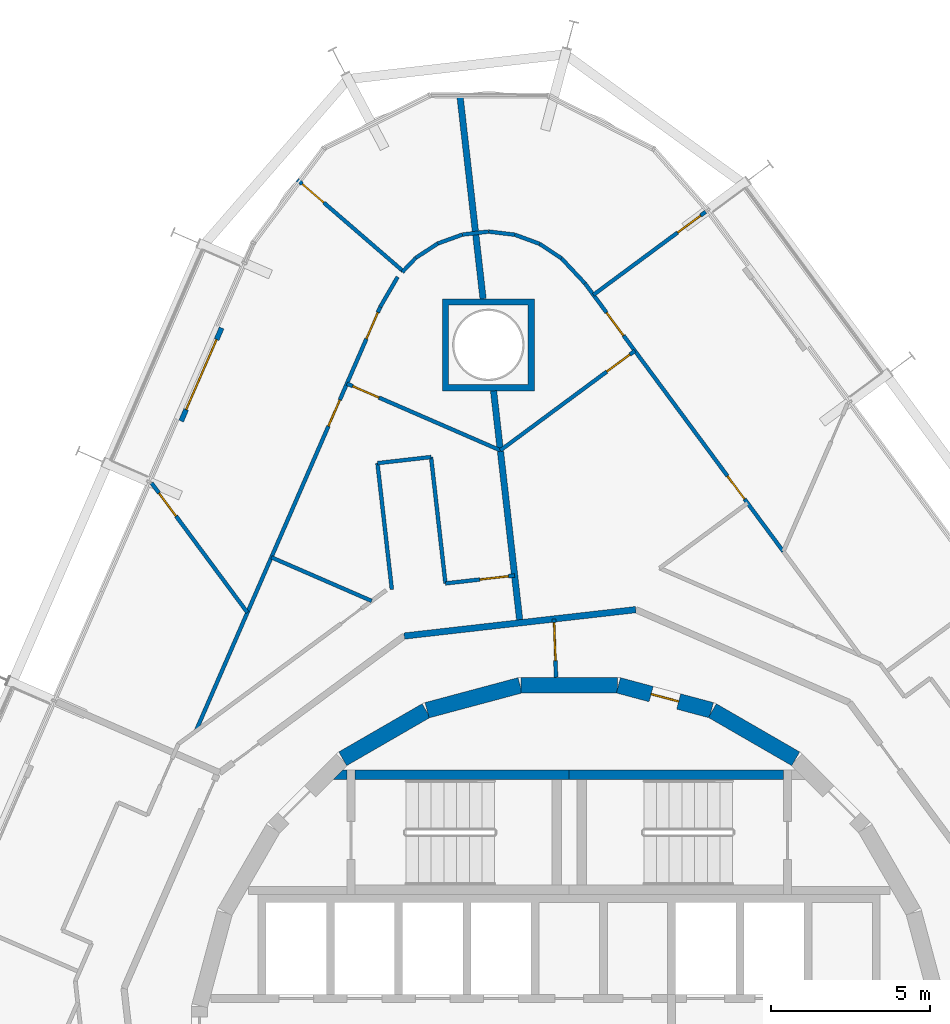
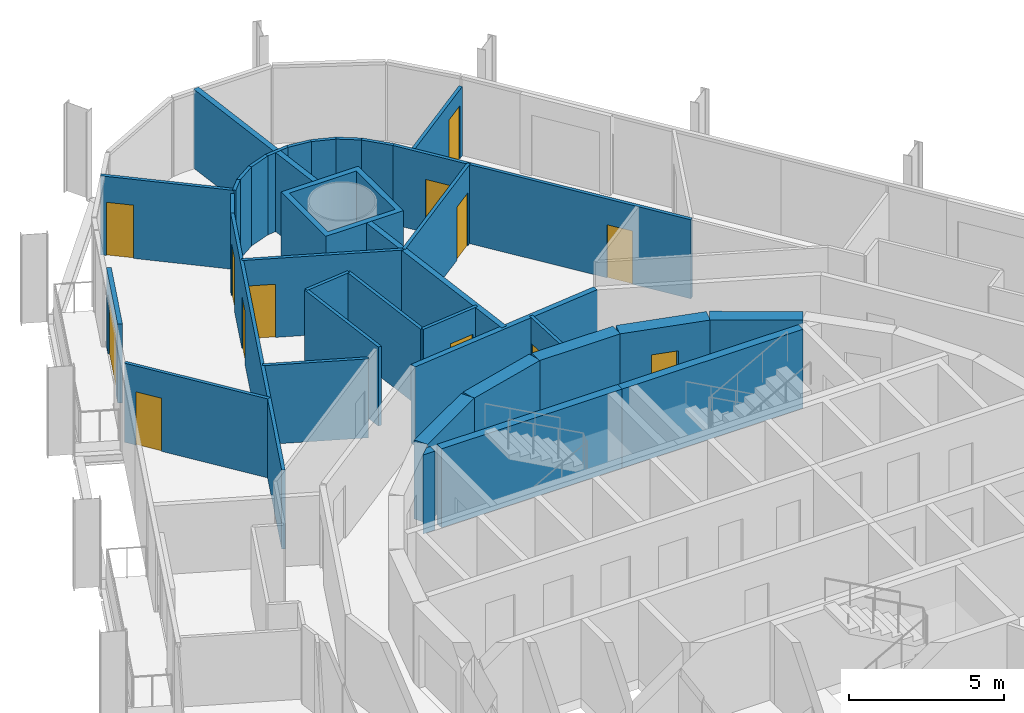
# One storey, part 21 of 24: 35 walls, 13 doors, 13 openings.
"""IFC4 building model written with IfcOpenShell, lengths in metres."""

from ifc_helpers import new_model, si_unit, direction, frame, frame_2d, origin, place, context, subcontext, project, spatial, polyline, rectangle, outline, extrude, material, layer, layer_set, type_object, element, fill, save


model = new_model("IFC4")

# Units and contexts
model_context = context("Model", 3, precision=1e-05, world=origin(), true_north=direction((0.0, 1.0)))
body_context = subcontext(model_context, "Body", "Model", "MODEL_VIEW")
ifc_project = project(units=[si_unit("LENGTHUNIT", "METRE"), si_unit("AREAUNIT", "SQUARE_METRE"), si_unit("VOLUMEUNIT", "CUBIC_METRE"), si_unit("PLANEANGLEUNIT", "RADIAN"), si_unit("MASSUNIT", "GRAM", prefix="KILO")], contexts=[model_context])

# Site, building, storey
site_placement = place(None, origin())
site = spatial("IfcSite", under=ifc_project, at=site_placement, CompositionType="ELEMENT")
building_placement = place(site_placement, origin())
building = spatial("IfcBuilding", under=site, at=building_placement, Name="Spindle Arch Residences", CompositionType="ELEMENT")
storey_placement = place(building_placement, frame((0.0, 0.0, 94.199951171875)))
storey = spatial("IfcBuildingStorey", under=building, at=storey_placement, Name="L22", CompositionType="ELEMENT", Elevation=94.199951171875)

# Wall
ifc_material_1 = material(Name="Concrete C50/60", Category="concrete")
ifc_layer_1 = layer(ifc_material_1, 0.5)
ifc_layer_set_1 = layer_set([ifc_layer_1], Name="Core outline wall 500")
wall_type_1 = type_object("IfcWallType", Name="Core outline wall 500", PredefinedType="SHEAR", material=ifc_layer_set_1)
wall_1_placement = place(storey_placement, frame((7.13671875, 9.32861328125, 0.0), z_axis=(0.0, 0.0, 1.0), x_axis=(-0.865975092491, 0.500087131594, 0.0)))
element("IfcWall", 1, at=wall_1_placement, inside=storey, type_object=wall_type_1, Name="Core outline wall 10", PredefinedType="SHEAR", context=body_context, shape_type="SweptSolid", body=[
    extrude(rectangle(XDim=3.03271484375, YDim=0.5, at=frame_2d((1.516357421875, 0.0))), origin(), (0.0, 0.0, 1.0), 3.1201171875),
])

# Wall, opening, door
wall_2_placement = place(storey_placement, frame((4.479248046875, 10.858154296875, 0.0), z_axis=(0.0, 0.0, 1.0), x_axis=(-0.965948410781, 0.258734743916, 0.0)))
wall_2 = element("IfcWall", 2, at=wall_2_placement, inside=storey, type_object=wall_type_1, Name="Core outline wall 11", PredefinedType="SHEAR", context=body_context, shape_type="SweptSolid", body=[
    extrude(rectangle(XDim=3.03271484375, YDim=0.5, at=frame_2d((1.516357421875, 0.0))), origin(), (0.0, 0.0, 1.0), 3.1201171875),
])
opening_1_placement = place(wall_2_placement, frame((1.066162109375, 0.0, 0.0)))
opening_1 = element("IfcOpeningElement", 3, at=opening_1_placement, cuts=wall_2, Name="Opening R2B1-WD10", PredefinedType="OPENING", context=body_context, shape_type="SweptSolid", body=[
    extrude(rectangle(XDim=0.89990234375, YDim=2.10009765625, at=frame_2d((0.449951171875, 1.050048828125))), frame((0.0, 0.260009765625, 0.0), z_axis=(0.0, -1.0, 0.0), x_axis=(1.0, 0.0, 0.0)), (0.0, 0.0, 1.0), 0.52001953125),
])
ifc_material_2 = material(Name="Steel, fire-resisting door", Category="steel")
door_type_1 = type_object("IfcDoorType", Name="Service room door 900x2100", OperationType="SINGLE_SWING_LEFT", PredefinedType="DOOR", material=ifc_material_2)
door_1_placement = place(opening_1_placement, origin())
door_1 = element("IfcDoor", 4, at=door_1_placement, inside=storey, type_object=door_type_1, Name="Service room door R2B1-WD10", OperationType="SINGLE_SWING_LEFT", OverallHeight=2.10009765625, OverallWidth=0.89990234375, PredefinedType="DOOR", context=body_context, shape_type="SweptSolid", body=[
    extrude(rectangle(XDim=0.89990234375, YDim=2.10009765625, at=frame_2d((0.449951171875, 1.050048828125))), frame((0.0, 0.02490234375, 0.0), z_axis=(0.0, -1.0, 0.0), x_axis=(1.0, 0.0, 0.0)), (0.0, 0.0, 1.0), 0.050048828125),
])
fill(opening_1, door_1)

# Walls
for number, where, z_axis, x_axis, name in (
    (5, (1.516357421875, 11.647216796875, 0.0), (0.0, 0.0, 1.0), (-1.0, 0.0, 0.0), "Core outline wall 12"),
    (6, (-1.5498046875, 11.642822265625, 0.0), (0.0, 0.0, 1.0), (-0.965948410781, -0.258734743916, 0.0), "Core outline wall 13"),
    (7, (-4.510498046875, 10.84521484375, 0.0), (0.0, 0.0, 1.0), (-0.865975092491, -0.500087131594, 0.0), "Core outline wall 14"),
):
    element("IfcWall", number, at=place(storey_placement, frame(where, z_axis=z_axis, x_axis=x_axis)), inside=storey, type_object=wall_type_1, Name=name, PredefinedType="SHEAR", context=body_context, shape_type="SweptSolid", body=[
        extrude(rectangle(XDim=3.03271484375, YDim=0.5, at=frame_2d((1.516357421875, 0.0))), origin(), (0.0, 0.0, 1.0), 3.1201171875),
    ])

# Wall, opening, door
ifc_material_3 = material(Name="Plasterboard on steel studs", Category="steel")
ifc_layer_2 = layer(ifc_material_3, 0.1201171875)
ifc_layer_set_2 = layer_set([ifc_layer_2], Name="Corridor division wall 120")
wall_type_2 = type_object("IfcWallType", Name="Corridor division wall 120", PredefinedType="PARTITIONING", material=ifc_layer_set_2)
wall_3_placement = place(storey_placement, frame((-0.4794921875, 13.73388671875, 0.0), z_axis=(0.0, 0.0, 1.0), x_axis=(0.034805430832, -0.999394107439, 0.0)))
wall_3 = element("IfcWall", 8, at=wall_3_placement, inside=storey, type_object=wall_type_2, Name="Corridor division wall R2B1-W001", PredefinedType="PARTITIONING", context=body_context, shape_type="SweptSolid", body=[
    extrude(rectangle(XDim=1.837890625, YDim=0.1201171875, at=frame_2d((0.9189453125, 0.0))), origin(), (0.0, 0.0, 1.0), 3.1201171875),
])
opening_2_placement = place(wall_3_placement, frame((0.114990234375, 0.0, 0.0)))
opening_2 = element("IfcOpeningElement", 9, at=opening_2_placement, cuts=wall_3, Name="Opening R2B1-CD01", PredefinedType="OPENING", context=body_context, shape_type="SweptSolid", body=[
    extrude(rectangle(XDim=1.199951171875, YDim=2.10009765625, at=frame_2d((0.60009765625, 1.050048828125))), frame((0.0, 0.070068359375, 0.0), z_axis=(0.0, -1.0, 0.0), x_axis=(1.0, 0.0, 0.0)), (0.0, 0.0, 1.0), 0.14013671875),
])
ifc_material_4 = material(Name="Steel, fire-resisting door", Category="steel")
door_type_2 = type_object("IfcDoorType", Name="Corridor division door 1200x2100", OperationType="NOTDEFINED", PredefinedType="DOOR", material=ifc_material_4)
door_2_placement = place(opening_2_placement, origin())
door_2 = element("IfcDoor", 10, at=door_2_placement, inside=storey, type_object=door_type_2, Name="Corridor division door R2B1-CD01", OperationType="DOUBLE_DOOR_SINGLE_SWING", OverallHeight=2.10009765625, OverallWidth=1.199951171875, PredefinedType="DOOR", context=body_context, shape_type="SweptSolid", body=[
    extrude(rectangle(XDim=1.199951171875, YDim=2.10009765625, at=frame_2d((0.60009765625, 1.050048828125))), frame((0.0, 0.02490234375, 0.0), z_axis=(0.0, -1.0, 0.0), x_axis=(1.0, 0.0, 0.0)), (0.0, 0.0, 1.0), 0.050048828125),
])
fill(opening_2, door_2)

# Wall
ifc_material_5 = material(Name="Calcium silicate block, plastered")
ifc_layer_3 = layer(ifc_material_5, 0.199951171875)
ifc_layer_set_3 = layer_set([ifc_layer_3], Name="Corridor wall 200")
wall_type_3 = type_object("IfcWallType", Name="Corridor wall 200", PredefinedType="STANDARD", material=ifc_layer_set_3)
wall_4_placement = place(storey_placement, frame((2.096435546875, 14.027587890625, 0.0), z_axis=(0.0, 0.0, 1.0), x_axis=(-0.993569170114, -0.113226782163, 0.0)))
element("IfcWall", 11, at=wall_4_placement, inside=storey, type_object=wall_type_3, Name="Corridor wall R2B1-W006", PredefinedType="STANDARD", context=body_context, shape_type="SweptSolid", body=[
    extrude(rectangle(XDim=7.341796875, YDim=0.199951171875, at=frame_2d((3.6708984375, 0.0))), origin(), (0.0, 0.0, 1.0), 3.1201171875),
])

# Wall, openings, doors
ifc_material_6 = material(Name="Plasterboard on steel studs", Category="steel")
ifc_layer_4 = layer(ifc_material_6, 0.1201171875)
ifc_layer_set_4 = layer_set([ifc_layer_4], Name="Flat partition 120")
wall_type_4 = type_object("IfcWallType", Name="Flat partition 120", PredefinedType="PARTITIONING", material=ifc_layer_set_4)
wall_5_placement = place(storey_placement, frame((6.745849609375, 15.861572265625, 0.0), z_axis=(0.0, 0.0, 1.0), x_axis=(-0.594822280601, 0.803857235148, 0.0)))
wall_5 = element("IfcWall", 12, at=wall_5_placement, inside=storey, type_object=wall_type_4, Name="Flat partition R2B1-W035", PredefinedType="PARTITIONING", context=body_context, shape_type="SweptSolid", body=[
    extrude(rectangle(XDim=10.50439453125, YDim=0.1201171875, at=frame_2d((5.252197265625, 0.0))), origin(), (0.0, 0.0, 1.0), 3.1201171875),
])
opening_3_placement = place(wall_5_placement, frame((2.055908203125, 0.0, 0.0)))
opening_3 = element("IfcOpeningElement", 13, at=opening_3_placement, cuts=wall_5, Name="Opening R2B1-ID02", PredefinedType="OPENING", context=body_context, shape_type="SweptSolid", body=[
    extrude(rectangle(XDim=0.89990234375, YDim=2.10009765625, at=frame_2d((0.449951171875, 1.050048828125))), frame((0.0, 0.070068359375, 0.0), z_axis=(0.0, -1.0, 0.0), x_axis=(1.0, 0.0, 0.0)), (0.0, 0.0, 1.0), 0.14013671875),
])
opening_4_placement = place(wall_5_placement, frame((8.463623046875, 0.0, 0.0)))
opening_4 = element("IfcOpeningElement", 14, at=opening_4_placement, cuts=wall_5, Name="Opening R2B1-ID06", PredefinedType="OPENING", context=body_context, shape_type="SweptSolid", body=[
    extrude(rectangle(XDim=0.89990234375, YDim=2.10009765625, at=frame_2d((0.449951171875, 1.050048828125))), frame((0.0, 0.070068359375, 0.0), z_axis=(0.0, -1.0, 0.0), x_axis=(1.0, 0.0, 0.0)), (0.0, 0.0, 1.0), 0.14013671875),
])
ifc_material_7 = material(Name="Timber door set", Category="wood")
door_type_3 = type_object("IfcDoorType", Name="Room door 900x2100", OperationType="NOTDEFINED", PredefinedType="DOOR", material=ifc_material_7)
door_3_placement = place(opening_3_placement, origin())
door_3 = element("IfcDoor", 15, at=door_3_placement, inside=storey, type_object=door_type_3, Name="Room door R2B1-ID02", OperationType="SINGLE_SWING_RIGHT", OverallHeight=2.10009765625, OverallWidth=0.89990234375, PredefinedType="DOOR", context=body_context, shape_type="SweptSolid", body=[
    extrude(rectangle(XDim=0.89990234375, YDim=2.10009765625, at=frame_2d((0.449951171875, 1.050048828125))), frame((0.0, 0.02490234375, 0.0), z_axis=(0.0, -1.0, 0.0), x_axis=(1.0, 0.0, 0.0)), (0.0, 0.0, 1.0), 0.050048828125),
])
fill(opening_3, door_3)
door_4_placement = place(opening_4_placement, origin())
door_4 = element("IfcDoor", 16, at=door_4_placement, inside=storey, type_object=door_type_3, Name="Room door R2B1-ID06", OperationType="SINGLE_SWING_LEFT", OverallHeight=2.10009765625, OverallWidth=0.89990234375, PredefinedType="DOOR", context=body_context, shape_type="SweptSolid", body=[
    extrude(rectangle(XDim=0.89990234375, YDim=2.10009765625, at=frame_2d((0.449951171875, 1.050048828125))), frame((0.0, 0.02490234375, 0.0), z_axis=(0.0, -1.0, 0.0), x_axis=(1.0, 0.0, 0.0)), (0.0, 0.0, 1.0), 0.050048828125),
])
fill(opening_4, door_4)

# Wall, opening, door
wall_6_placement = place(storey_placement, frame((2.068359375, 22.182861328125, 0.0), z_axis=(0.0, 0.0, 1.0), x_axis=(-0.803867138365, -0.594808896921, 0.0)))
wall_6 = element("IfcWall", 17, at=wall_6_placement, inside=storey, type_object=wall_type_4, Name="Flat partition R2B1-W036", PredefinedType="PARTITIONING", context=body_context, shape_type="SweptSolid", body=[
    extrude(rectangle(XDim=5.272705078125, YDim=0.1201171875, at=frame_2d((2.63623046875, 0.0))), origin(), (0.0, 0.0, 1.0), 3.1201171875),
])
opening_5_placement = place(wall_6_placement, frame((0.199951171875, 0.0, 0.0)))
opening_5 = element("IfcOpeningElement", 18, at=opening_5_placement, cuts=wall_6, Name="Opening R2B1-ID03", PredefinedType="OPENING", context=body_context, shape_type="SweptSolid", body=[
    extrude(rectangle(XDim=0.89990234375, YDim=2.10009765625, at=frame_2d((0.449951171875, 1.050048828125))), frame((0.0, 0.070068359375, 0.0), z_axis=(0.0, -1.0, 0.0), x_axis=(1.0, 0.0, 0.0)), (0.0, 0.0, 1.0), 0.14013671875),
])
door_5_placement = place(opening_5_placement, origin())
door_5 = element("IfcDoor", 19, at=door_5_placement, inside=storey, type_object=door_type_3, Name="Room door R2B1-ID03", OperationType="SINGLE_SWING_RIGHT", OverallHeight=2.10009765625, OverallWidth=0.89990234375, PredefinedType="DOOR", context=body_context, shape_type="SweptSolid", body=[
    extrude(rectangle(XDim=0.89990234375, YDim=2.10009765625, at=frame_2d((0.449951171875, 1.050048828125))), frame((0.0, 0.02490234375, 0.0), z_axis=(0.0, -1.0, 0.0), x_axis=(1.0, 0.0, 0.0)), (0.0, 0.0, 1.0), 0.050048828125),
])
fill(opening_5, door_5)

# Walls
for number, where, z_axis, x_axis, name in (
    (20, (-3.36181640625, 25.846435546875, 0.0), (0.0, 0.0, 1.0), (0.993548802859, 0.113405362912, 0.0), "Flat partition R2B1-W041"),
    (21, (-2.538330078125, 25.9404296875, 0.0), (0.0, 0.0, 1.0), (0.992894945409, -0.118994232556, 0.0), "Flat partition R2B1-W042"),
    (22, (-1.71533203125, 25.841796875, 0.0), (0.0, 0.0, 1.0), (0.938644465852, -0.344886309856, 0.0), "Flat partition R2B1-W043"),
    (23, (-0.937255859375, 25.555908203125, 0.0), (0.0, 0.0, 1.0), (0.833858440069, -0.551978352769, 0.0), "Flat partition R2B1-W044"),
):
    element("IfcWall", number, at=place(storey_placement, frame(where, z_axis=z_axis, x_axis=x_axis)), inside=storey, type_object=wall_type_4, Name=name, PredefinedType="PARTITIONING", context=body_context, shape_type="SweptSolid", body=[
        extrude(rectangle(XDim=0.828857421875, YDim=0.1201171875, at=frame_2d((0.41455078125, 0.0))), origin(), (0.0, 0.0, 1.0), 3.1201171875),
    ])
wall_7_placement = place(storey_placement, frame((-0.24609375, 25.098388671875, 0.0), z_axis=(0.0, 0.0, 1.0), x_axis=(0.684172712488, -0.729320025426, 0.0)))
element("IfcWall", 24, at=wall_7_placement, inside=storey, type_object=wall_type_4, Name="Flat partition R2B1-W045", PredefinedType="PARTITIONING", context=body_context, shape_type="SweptSolid", body=[
    extrude(rectangle(XDim=1.0869140625, YDim=0.1201171875, at=frame_2d((0.54345703125, 0.0))), origin(), (0.0, 0.0, 1.0), 3.1201171875),
])

# Wall, opening, door
wall_8_placement = place(storey_placement, frame((-1.720703125, 15.102294921875, 0.0), z_axis=(0.0, 0.0, 1.0), x_axis=(-0.993571720958, -0.11320439617, 0.0)))
wall_8 = element("IfcWall", 25, at=wall_8_placement, inside=storey, type_object=wall_type_4, Name="Flat partition R2B1-W046", PredefinedType="PARTITIONING", context=body_context, shape_type="SweptSolid", body=[
    extrude(rectangle(XDim=2.193359375, YDim=0.1201171875, at=frame_2d((1.0966796875, 0.0))), origin(), (0.0, 0.0, 1.0), 3.1201171875),
])
opening_6_placement = place(wall_8_placement, frame((0.199951171875, 0.0, 0.0)))
opening_6 = element("IfcOpeningElement", 26, at=opening_6_placement, cuts=wall_8, Name="Opening R2B1-ID07", PredefinedType="OPENING", context=body_context, shape_type="SweptSolid", body=[
    extrude(rectangle(XDim=0.89990234375, YDim=2.10009765625, at=frame_2d((0.449951171875, 1.050048828125))), frame((0.0, 0.070068359375, 0.0), z_axis=(0.0, -1.0, 0.0), x_axis=(1.0, 0.0, 0.0)), (0.0, 0.0, 1.0), 0.14013671875),
])
door_6_placement = place(opening_6_placement, origin())
door_6 = element("IfcDoor", 27, at=door_6_placement, inside=storey, type_object=door_type_3, Name="Room door R2B1-ID07", OperationType="SINGLE_SWING_LEFT", OverallHeight=2.10009765625, OverallWidth=0.89990234375, PredefinedType="DOOR", context=body_context, shape_type="SweptSolid", body=[
    extrude(rectangle(XDim=0.89990234375, YDim=2.10009765625, at=frame_2d((0.449951171875, 1.050048828125))), frame((0.0, 0.02490234375, 0.0), z_axis=(0.0, -1.0, 0.0), x_axis=(1.0, 0.0, 0.0)), (0.0, 0.0, 1.0), 0.050048828125),
])
fill(opening_6, door_6)

# Walls
wall_9_placement = place(storey_placement, frame((-3.89990234375, 14.85400390625, 0.0), z_axis=(0.0, 0.0, 1.0), x_axis=(-0.113178937308, 0.993574621329, 0.0)))
element("IfcWall", 28, at=wall_9_placement, inside=storey, type_object=wall_type_4, Name="Flat partition R2B1-W047", PredefinedType="PARTITIONING", context=body_context, shape_type="SweptSolid", body=[
    extrude(rectangle(XDim=4.0078125, YDim=0.1201171875, at=frame_2d((2.00390625, 0.0))), origin(), (0.0, 0.0, 1.0), 3.1201171875),
])
wall_10_placement = place(storey_placement, frame((-4.353515625, 18.836181640625, 0.0), z_axis=(0.0, 0.0, 1.0), x_axis=(-0.99355903199, -0.113315709199, 0.0)))
element("IfcWall", 29, at=wall_10_placement, inside=storey, type_object=wall_type_4, Name="Flat partition R2B1-W048", PredefinedType="PARTITIONING", context=body_context, shape_type="SweptSolid", body=[
    extrude(rectangle(XDim=1.699951171875, YDim=0.1201171875, at=frame_2d((0.85009765625, 0.0))), origin(), (0.0, 0.0, 1.0), 3.1201171875),
])
wall_11_placement = place(storey_placement, frame((-6.04248046875, 18.6435546875, 0.0), z_axis=(0.0, 0.0, 1.0), x_axis=(0.113185787648, -0.993573840977, 0.0)))
element("IfcWall", 30, at=wall_11_placement, inside=storey, type_object=wall_type_4, Name="Flat partition R2B1-W049", PredefinedType="PARTITIONING", context=body_context, shape_type="SweptSolid", body=[
    extrude(rectangle(XDim=4.007568359375, YDim=0.1201171875, at=frame_2d((2.00390625, 0.0))), origin(), (0.0, 0.0, 1.0), 3.1201171875),
])
wall_12_placement = place(storey_placement, frame((-5.261474609375, 24.662841796875, 0.0), z_axis=(0.0, 0.0, 1.0), x_axis=(0.688324306424, 0.725403094277, 0.0)))
element("IfcWall", 31, at=wall_12_placement, inside=storey, type_object=wall_type_4, Name="Flat partition R2B1-W052", PredefinedType="PARTITIONING", context=body_context, shape_type="SweptSolid", body=[
    extrude(rectangle(XDim=0.618896484375, YDim=0.1201171875, at=frame_2d((0.3095703125, 0.0))), origin(), (0.0, 0.0, 1.0), 3.1201171875),
])
wall_13_placement = place(storey_placement, frame((-4.83544921875, 25.11181640625, 0.0), z_axis=(0.0, 0.0, 1.0), x_axis=(0.837047461437, 0.547130283664, 0.0)))
element("IfcWall", 32, at=wall_13_placement, inside=storey, type_object=wall_type_4, Name="Flat partition R2B1-W053", PredefinedType="PARTITIONING", context=body_context, shape_type="SweptSolid", body=[
    extrude(rectangle(XDim=0.82861328125, YDim=0.1201171875, at=frame_2d((0.414306640625, 0.0))), origin(), (0.0, 0.0, 1.0), 3.1201171875),
])
wall_14_placement = place(storey_placement, frame((-4.141845703125, 25.565185546875, 0.0), z_axis=(0.0, 0.0, 1.0), x_axis=(0.940718391217, 0.33918860303, 0.0)))
element("IfcWall", 33, at=wall_14_placement, inside=storey, type_object=wall_type_4, Name="Flat partition R2B1-W054", PredefinedType="PARTITIONING", context=body_context, shape_type="SweptSolid", body=[
    extrude(rectangle(XDim=0.8291015625, YDim=0.1201171875, at=frame_2d((0.41455078125, 0.0))), origin(), (0.0, 0.0, 1.0), 3.1201171875),
])

# Wall, opening, door
wall_15_placement = place(storey_placement, frame((-8.56591796875, 27.57275390625, 0.0), z_axis=(0.0, 0.0, 1.0), x_axis=(0.756463964606, -0.654035373854, 0.0)))
wall_15 = element("IfcWall", 34, at=wall_15_placement, inside=storey, type_object=wall_type_4, Name="Flat partition R2B1-W055", PredefinedType="PARTITIONING", context=body_context, shape_type="SweptSolid", body=[
    extrude(rectangle(XDim=4.40478515625, YDim=0.1201171875, at=frame_2d((2.202392578125, 0.0))), origin(), (0.0, 0.0, 1.0), 3.1201171875),
])
opening_7_placement = place(wall_15_placement, frame((0.199951171875, 0.0, 0.0)))
opening_7 = element("IfcOpeningElement", 35, at=opening_7_placement, cuts=wall_15, Name="Opening R2B1-ID10", PredefinedType="OPENING", context=body_context, shape_type="SweptSolid", body=[
    extrude(rectangle(XDim=0.89990234375, YDim=2.10009765625, at=frame_2d((0.449951171875, 1.050048828125))), frame((0.0, 0.070068359375, 0.0), z_axis=(0.0, -1.0, 0.0), x_axis=(1.0, 0.0, 0.0)), (0.0, 0.0, 1.0), 0.14013671875),
])
door_7_placement = place(opening_7_placement, origin())
door_7 = element("IfcDoor", 36, at=door_7_placement, inside=storey, type_object=door_type_3, Name="Room door R2B1-ID10", OperationType="SINGLE_SWING_LEFT", OverallHeight=2.10009765625, OverallWidth=0.89990234375, PredefinedType="DOOR", context=body_context, shape_type="SweptSolid", body=[
    extrude(rectangle(XDim=0.89990234375, YDim=2.10009765625, at=frame_2d((0.449951171875, 1.050048828125))), frame((0.0, 0.02490234375, 0.0), z_axis=(0.0, -1.0, 0.0), x_axis=(1.0, 0.0, 0.0)), (0.0, 0.0, 1.0), 0.050048828125),
])
fill(opening_7, door_7)

wall_16_placement = place(storey_placement, frame((-7.00537109375, 21.149169921875, 0.0), z_axis=(0.0, 0.0, 1.0), x_axis=(0.917050915224, -0.398770132891, 0.0)))
wall_16 = element("IfcWall", 37, at=wall_16_placement, inside=storey, type_object=wall_type_4, Name="Flat partition R2B1-W056", PredefinedType="PARTITIONING", context=body_context, shape_type="SweptSolid", body=[
    extrude(rectangle(XDim=5.2724609375, YDim=0.1201171875, at=frame_2d((2.63623046875, 0.0))), origin(), (0.0, 0.0, 1.0), 3.1201171875),
])
opening_8_placement = place(wall_16_placement, frame((0.199951171875, 0.0, 0.0)))
opening_8 = element("IfcOpeningElement", 38, at=opening_8_placement, cuts=wall_16, Name="Opening R2B1-ID08", PredefinedType="OPENING", context=body_context, shape_type="SweptSolid", body=[
    extrude(rectangle(XDim=0.89990234375, YDim=2.10009765625, at=frame_2d((0.449951171875, 1.050048828125))), frame((0.0, 0.070068359375, 0.0), z_axis=(0.0, -1.0, 0.0), x_axis=(1.0, 0.0, 0.0)), (0.0, 0.0, 1.0), 0.14013671875),
])
door_8_placement = place(opening_8_placement, origin())
door_8 = element("IfcDoor", 39, at=door_8_placement, inside=storey, type_object=door_type_3, Name="Room door R2B1-ID08", OperationType="SINGLE_SWING_LEFT", OverallHeight=2.10009765625, OverallWidth=0.89990234375, PredefinedType="DOOR", context=body_context, shape_type="SweptSolid", body=[
    extrude(rectangle(XDim=0.89990234375, YDim=2.10009765625, at=frame_2d((0.449951171875, 1.050048828125))), frame((0.0, 0.02490234375, 0.0), z_axis=(0.0, -1.0, 0.0), x_axis=(1.0, 0.0, 0.0)), (0.0, 0.0, 1.0), 0.050048828125),
])
fill(opening_8, door_8)

# Wall
wall_17_placement = place(storey_placement, frame((-5.40625, 24.510498046875, 0.0), z_axis=(0.0, 0.0, 1.0), x_axis=(-0.502487709822, -0.864584351858, 0.0)))
element("IfcWall", 40, at=wall_17_placement, inside=storey, type_object=wall_type_4, Name="Flat partition R2B1-W057", PredefinedType="PARTITIONING", context=body_context, shape_type="SweptSolid", body=[
    extrude(rectangle(XDim=1.0869140625, YDim=0.1201171875, at=frame_2d((0.54345703125, 0.0))), origin(), (0.0, 0.0, 1.0), 3.1201171875),
])

# Wall, openings, doors
wall_18_placement = place(storey_placement, frame((-5.952392578125, 23.57080078125, 0.0), z_axis=(0.0, 0.0, 1.0), x_axis=(-0.398745097158, -0.917061801348, 0.0)))
wall_18 = element("IfcWall", 41, at=wall_18_placement, inside=storey, type_object=wall_type_4, Name="Flat partition R2B1-W058", PredefinedType="PARTITIONING", context=body_context, shape_type="SweptSolid", body=[
    extrude(rectangle(XDim=14.576416015625, YDim=0.1201171875, at=frame_2d((7.2880859375, 0.0))), origin(), (0.0, 0.0, 1.0), 3.1201171875),
])
opening_9_placement = place(wall_18_placement, frame((3.20068359375, 0.0, 0.0)))
opening_9 = element("IfcOpeningElement", 42, at=opening_9_placement, cuts=wall_18, Name="Opening R2B1-ID09", PredefinedType="OPENING", context=body_context, shape_type="SweptSolid", body=[
    extrude(rectangle(XDim=0.89990234375, YDim=2.10009765625, at=frame_2d((0.449951171875, 1.050048828125))), frame((0.0, 0.070068359375, 0.0), z_axis=(0.0, -1.0, 0.0), x_axis=(1.0, 0.0, 0.0)), (0.0, 0.0, 1.0), 0.14013671875),
])
opening_10_placement = place(wall_18_placement, frame((0.199951171875, 0.0, 0.0)))
opening_10 = element("IfcOpeningElement", 43, at=opening_10_placement, cuts=wall_18, Name="Opening R2B1-ID12", PredefinedType="OPENING", context=body_context, shape_type="SweptSolid", body=[
    extrude(rectangle(XDim=0.89990234375, YDim=2.10009765625, at=frame_2d((0.449951171875, 1.050048828125))), frame((0.0, 0.070068359375, 0.0), z_axis=(0.0, -1.0, 0.0), x_axis=(1.0, 0.0, 0.0)), (0.0, 0.0, 1.0), 0.14013671875),
])
door_9_placement = place(opening_9_placement, origin())
door_9 = element("IfcDoor", 44, at=door_9_placement, inside=storey, type_object=door_type_3, Name="Room door R2B1-ID09", OperationType="SINGLE_SWING_LEFT", OverallHeight=2.10009765625, OverallWidth=0.89990234375, PredefinedType="DOOR", context=body_context, shape_type="SweptSolid", body=[
    extrude(rectangle(XDim=0.89990234375, YDim=2.10009765625, at=frame_2d((0.449951171875, 1.050048828125))), frame((0.0, 0.02490234375, 0.0), z_axis=(0.0, -1.0, 0.0), x_axis=(1.0, 0.0, 0.0)), (0.0, 0.0, 1.0), 0.050048828125),
])
fill(opening_9, door_9)
door_10_placement = place(opening_10_placement, origin())
door_10 = element("IfcDoor", 45, at=door_10_placement, inside=storey, type_object=door_type_3, Name="Room door R2B1-ID12", OperationType="SINGLE_SWING_RIGHT", OverallHeight=2.10009765625, OverallWidth=0.89990234375, PredefinedType="DOOR", context=body_context, shape_type="SweptSolid", body=[
    extrude(rectangle(XDim=0.89990234375, YDim=2.10009765625, at=frame_2d((0.449951171875, 1.050048828125))), frame((0.0, 0.02490234375, 0.0), z_axis=(0.0, -1.0, 0.0), x_axis=(1.0, 0.0, 0.0)), (0.0, 0.0, 1.0), 0.050048828125),
])
fill(opening_10, door_10)

# Wall
wall_19_placement = place(storey_placement, frame((-9.385009765625, 15.67626953125, 0.0), z_axis=(0.0, 0.0, 1.0), x_axis=(0.917068929701, -0.398728702475, 0.0)))
element("IfcWall", 46, at=wall_19_placement, inside=storey, type_object=wall_type_4, Name="Flat partition R2B1-W059", PredefinedType="PARTITIONING", context=body_context, shape_type="SweptSolid", body=[
    extrude(rectangle(XDim=3.4453125, YDim=0.1201171875, at=frame_2d((1.72265625, 0.0))), origin(), (0.0, 0.0, 1.0), 3.1201171875),
])

# Wall, opening, door
wall_20_placement = place(storey_placement, frame((-13.1630859375, 18.021728515625, 0.0), z_axis=(0.0, 0.0, 1.0), x_axis=(0.594797671626, -0.803875444226, 0.0)))
wall_20 = element("IfcWall", 47, at=wall_20_placement, inside=storey, type_object=wall_type_4, Name="Flat partition R2B1-W060", PredefinedType="PARTITIONING", context=body_context, shape_type="SweptSolid", body=[
    extrude(rectangle(XDim=5.08056640625, YDim=0.1201171875, at=frame_2d((2.540283203125, 0.0))), origin(), (0.0, 0.0, 1.0), 3.1201171875),
])
opening_11_placement = place(wall_20_placement, frame((0.39990234375, 0.0, 0.0)))
opening_11 = element("IfcOpeningElement", 48, at=opening_11_placement, cuts=wall_20, Name="Opening R2B1-ID11", PredefinedType="OPENING", context=body_context, shape_type="SweptSolid", body=[
    extrude(rectangle(XDim=0.89990234375, YDim=2.10009765625, at=frame_2d((0.449951171875, 1.050048828125))), frame((0.0, 0.070068359375, 0.0), z_axis=(0.0, -1.0, 0.0), x_axis=(1.0, 0.0, 0.0)), (0.0, 0.0, 1.0), 0.14013671875),
])
door_11_placement = place(opening_11_placement, origin())
door_11 = element("IfcDoor", 49, at=door_11_placement, inside=storey, type_object=door_type_3, Name="Room door R2B1-ID11", OperationType="SINGLE_SWING_RIGHT", OverallHeight=2.10009765625, OverallWidth=0.89990234375, PredefinedType="DOOR", context=body_context, shape_type="SweptSolid", body=[
    extrude(rectangle(XDim=0.89990234375, YDim=2.10009765625, at=frame_2d((0.449951171875, 1.050048828125))), frame((0.0, 0.02490234375, 0.0), z_axis=(0.0, -1.0, 0.0), x_axis=(1.0, 0.0, 0.0)), (0.0, 0.0, 1.0), 0.050048828125),
])
fill(opening_11, door_11)

ifc_material_8 = material(Name="Plasterboard on steel studs", Category="steel")
ifc_layer_5 = layer(ifc_material_8, 0.1201171875)
ifc_layer_set_5 = layer_set([ifc_layer_5], Name="Flat partition 120 under beam 2730")
wall_type_5 = type_object("IfcWallType", Name="Flat partition 120 under beam 2730", PredefinedType="PARTITIONING", material=ifc_layer_set_5)
wall_21_placement = place(storey_placement, frame((4.29931640625, 26.56494140625, 0.0), z_axis=(0.0, 0.0, 1.0), x_axis=(-0.803851981262, -0.594829380764, 0.0)))
wall_21 = element("IfcWall", 50, at=wall_21_placement, inside=storey, type_object=wall_type_5, Name="Flat partition R2B1-W040", PredefinedType="PARTITIONING", context=body_context, shape_type="SweptSolid", body=[
    extrude(rectangle(XDim=4.39990234375, YDim=0.1201171875, at=frame_2d((2.199951171875, 0.0))), origin(), (0.0, 0.0, 1.0), 2.72998046875),
])
opening_12_placement = place(wall_21_placement, frame((0.199951171875, 0.0, 0.0)))
opening_12 = element("IfcOpeningElement", 51, at=opening_12_placement, cuts=wall_21, Name="Opening R2B1-ID05", PredefinedType="OPENING", context=body_context, shape_type="SweptSolid", body=[
    extrude(rectangle(XDim=0.89990234375, YDim=2.10009765625, at=frame_2d((0.449951171875, 1.050048828125))), frame((0.0, 0.070068359375, 0.0), z_axis=(0.0, -1.0, 0.0), x_axis=(1.0, 0.0, 0.0)), (0.0, 0.0, 1.0), 0.14013671875),
])
door_12_placement = place(opening_12_placement, origin())
door_12 = element("IfcDoor", 52, at=door_12_placement, inside=storey, type_object=door_type_3, Name="Room door R2B1-ID05", OperationType="SINGLE_SWING_RIGHT", OverallHeight=2.10009765625, OverallWidth=0.89990234375, PredefinedType="DOOR", context=body_context, shape_type="SweptSolid", body=[
    extrude(rectangle(XDim=0.89990234375, YDim=2.10009765625, at=frame_2d((0.449951171875, 1.050048828125))), frame((0.0, 0.02490234375, 0.0), z_axis=(0.0, -1.0, 0.0), x_axis=(1.0, 0.0, 0.0)), (0.0, 0.0, 1.0), 0.050048828125),
])
fill(opening_12, door_12)

# Walls
ifc_material_9 = material(Name="Calcium silicate block, plastered")
ifc_layer_6 = layer(ifc_material_9, 0.199951171875)
ifc_layer_set_6 = layer_set([ifc_layer_6], Name="Flat party wall 200")
wall_type_6 = type_object("IfcWallType", Name="Flat party wall 200", PredefinedType="STANDARD", material=ifc_layer_set_6)
wall_22_placement = place(storey_placement, frame((-2.383544921875, 20.92041015625, 0.0), z_axis=(0.0, 0.0, 1.0), x_axis=(0.113210540889, -0.993571020829, 0.0)))
element("IfcWall", 53, at=wall_22_placement, inside=storey, type_object=wall_type_6, Name="Flat party wall R2B1-W016", PredefinedType="STANDARD", context=body_context, shape_type="SweptSolid", body=[
    extrude(rectangle(XDim=7.35595703125, YDim=0.199951171875, at=frame_2d((3.677978515625, 0.0))), origin(), (0.0, 0.0, 1.0), 3.1201171875),
])
wall_23_placement = place(storey_placement, frame((-3.4482421875, 30.26513671875, 0.0), z_axis=(0.0, 0.0, 1.0), x_axis=(0.113178237968, -0.993574700992, 0.0)))
element("IfcWall", 54, at=wall_23_placement, inside=storey, type_object=wall_type_6, Name="Flat party wall R2B1-W019", PredefinedType="STANDARD", context=body_context, shape_type="SweptSolid", body=[
    extrude(rectangle(XDim=6.486572265625, YDim=0.199951171875, at=frame_2d((3.2431640625, 0.0))), origin(), (0.0, 0.0, 1.0), 3.1201171875),
])

# Wall, opening, door
ifc_material_10 = material(Name="Non-combustible mineral wool insulated aluminium faced external wall (K0)", Category="aluminium")
ifc_layer_7 = layer(ifc_material_10, 0.159912109375)
ifc_layer_set_7 = layer_set([ifc_layer_7], Name="Insulated external wall panel 160")
wall_type_7 = type_object("IfcWallType", Name="Insulated external wall panel 160", PredefinedType="STANDARD", material=ifc_layer_set_7)
wall_24_placement = place(storey_placement, frame((-10.95263671875, 22.90478515625, 0.0), z_axis=(0.0, 0.0, 1.0), x_axis=(-0.398784695066, -0.917044582876, 0.0)))
wall_24 = element("IfcWall", 55, at=wall_24_placement, inside=storey, type_object=wall_type_7, Name="External wall L22 bay 14", PredefinedType="STANDARD", context=body_context, shape_type="SweptSolid", body=[
    extrude(rectangle(XDim=3.199951171875, YDim=0.159912109375, at=frame_2d((1.60009765625, 0.0))), origin(), (0.0, 0.0, 1.0), 3.1201171875),
])
opening_13_placement = place(wall_24_placement, frame((0.39990234375, 0.0, 0.0)))
opening_13 = element("IfcOpeningElement", 56, at=opening_13_placement, cuts=wall_24, Name="Opening BD14", PredefinedType="OPENING", context=body_context, shape_type="SweptSolid", body=[
    extrude(rectangle(XDim=2.39990234375, YDim=2.39990234375, at=frame_2d((1.199951171875, 1.199951171875))), frame((0.0, 0.08984375, 0.0), z_axis=(0.0, -1.0, 0.0), x_axis=(1.0, 0.0, 0.0)), (0.0, 0.0, 1.0), 0.179931640625),
])
ifc_material_11 = material(Name="Bronze aluminium frame, tinted double glazing", Category="aluminium")
door_type_4 = type_object("IfcDoorType", Name="Sliding glazed balcony door 2400x2400", OperationType="DOUBLE_DOOR_SLIDING", PredefinedType="DOOR", material=ifc_material_11)
door_13_placement = place(opening_13_placement, origin())
door_13 = element("IfcDoor", 57, at=door_13_placement, inside=storey, type_object=door_type_4, Name="Balcony door BD14", OperationType="DOUBLE_DOOR_SLIDING", OverallHeight=2.39990234375, OverallWidth=2.39990234375, PredefinedType="DOOR", context=body_context, shape_type="SweptSolid", body=[
    extrude(rectangle(XDim=2.39990234375, YDim=2.39990234375, at=frame_2d((1.199951171875, 1.199951171875))), frame((0.0, 0.02490234375, 0.0), z_axis=(0.0, -1.0, 0.0), x_axis=(1.0, 0.0, 0.0)), (0.0, 0.0, 1.0), 0.050048828125),
])
fill(opening_13, door_13)

# Walls
ifc_material_12 = material(Name="Calcium silicate block, plastered")
ifc_layer_8 = layer(ifc_material_12, 0.199951171875)
ifc_layer_set_8 = layer_set([ifc_layer_8], Name="Mega-column casing wall 200")
wall_type_8 = type_object("IfcWallType", Name="Mega-column casing wall 200", PredefinedType="STANDARD", material=ifc_layer_set_8)
wall_25_placement = place(storey_placement, origin())
element("IfcWall", 58, at=wall_25_placement, inside=storey, type_object=wall_type_8, Name="Mega-column casing wall R2B1-WC01", PredefinedType="STANDARD", context=body_context, shape_type="SweptSolid", body=[
    extrude(outline(polyline([(-1.098876953125, 23.8203125), (-1.098876953125, 20.92041015625), (-3.998779296875, 20.92041015625), (-3.998779296875, 23.8203125), (-1.098876953125, 23.8203125)]), holes=[polyline([(-3.798828125, 21.120361328125), (-1.298828125, 21.120361328125), (-1.298828125, 23.620361328125), (-3.798828125, 23.620361328125), (-3.798828125, 21.120361328125)])]), origin(), (0.0, 0.0, 1.0), 3.1201171875),
])
ifc_material_13 = material(Name="Concrete C40/50", Category="concrete")
wall_type_9 = type_object("IfcWallType", Name="Stair airlock wall profile", PredefinedType="SHEAR", material=ifc_material_13)
wall_26_placement = place(storey_placement, origin())
element("IfcWall", 59, at=wall_26_placement, inside=storey, type_object=wall_type_9, Name="Stair ST-2 airlock wall N", PredefinedType="SHEAR", context=body_context, shape_type="SweptSolid", body=[
    extrude(outline(polyline([(-7.148193359375, 8.969970703125), (-7.0, 8.969970703125), (-7.0, 8.669921875), (-7.4482421875, 8.669921875), (-7.148193359375, 8.969970703125)])), origin(), (0.0, 0.0, 1.0), 3.1201171875),
])
ifc_material_14 = material(Name="Concrete C50/60", Category="concrete")
ifc_layer_9 = layer(ifc_material_14, 0.300048828125)
ifc_layer_set_9 = layer_set([ifc_layer_9], Name="Stair enclosure wall 300")
wall_type_10 = type_object("IfcWallType", Name="Stair enclosure wall 300", PredefinedType="SHEAR", material=ifc_layer_set_9)
for number, where, z_axis, x_axis, name in (
    (60, (0.0, 8.820068359375, 0.0), (0.0, 0.0, 1.0), (1.0, 0.0, 0.0), "Stair ST-1 enclosure wall N"),
    (61, (-6.75, 8.820068359375, 0.0), (0.0, 0.0, 1.0), (1.0, 0.0, 0.0), "Stair ST-2 enclosure wall N"),
):
    element("IfcWall", number, at=place(storey_placement, frame(where, z_axis=z_axis, x_axis=x_axis)), inside=storey, type_object=wall_type_10, Name=name, PredefinedType="SHEAR", context=body_context, shape_type="SweptSolid", body=[
        extrude(rectangle(XDim=6.75, YDim=0.300048828125, at=frame_2d((3.375, 0.0))), origin(), (0.0, 0.0, 1.0), 3.1201171875),
    ])

save(model, "model.ifc")
